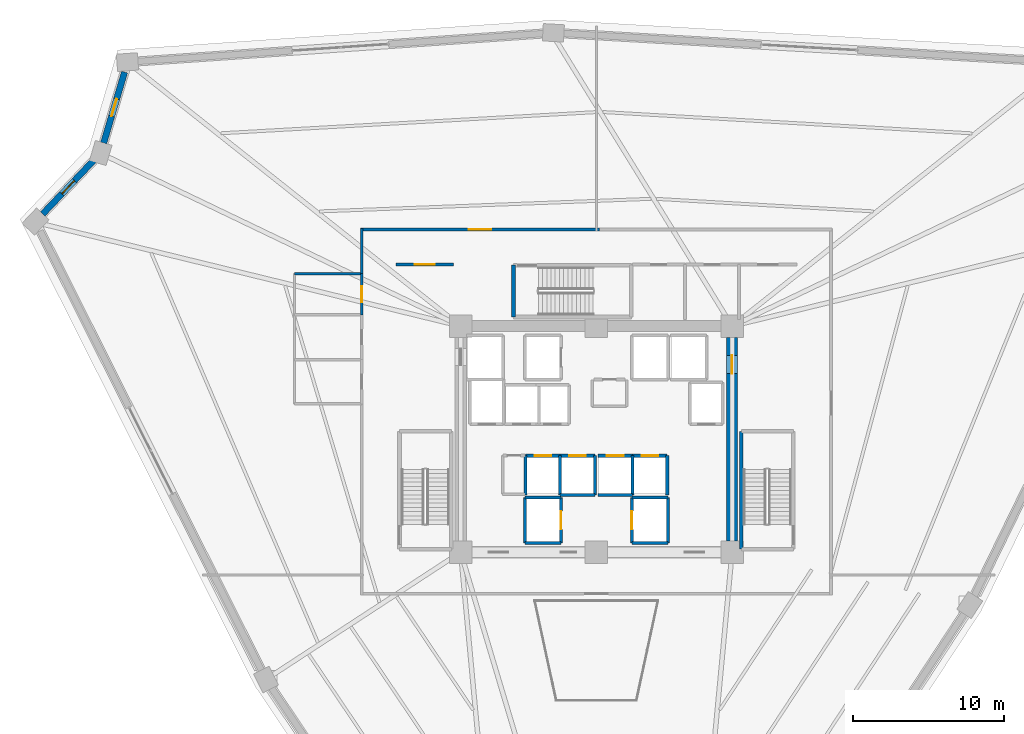
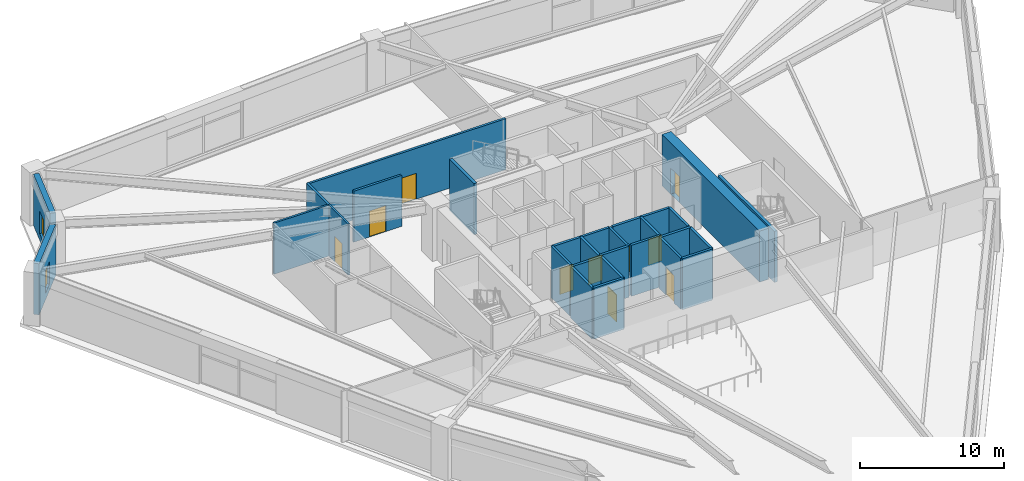
# One storey, part 26 of 30: 29 walls, 10 doors, 2 windows, 12 openings.
"""IFC4 building model written with IfcOpenShell, lengths in metres."""

from ifc_helpers import new_model, si_unit, direction, frame, frame_2d, origin, place, context, subcontext, project, spatial, rectangle, extrude, source, transform, mapped, material, layer, layer_set, type_object, element, fill, save


model = new_model("IFC4")

# Units and contexts
model_context = context("Model", 3, precision=1e-05, world=origin(), true_north=direction((0.0, 1.0)))
body_context = subcontext(model_context, "Body", "Model", "MODEL_VIEW")
ifc_project = project(units=[si_unit("LENGTHUNIT", "METRE"), si_unit("AREAUNIT", "SQUARE_METRE"), si_unit("VOLUMEUNIT", "CUBIC_METRE"), si_unit("PLANEANGLEUNIT", "RADIAN"), si_unit("MASSUNIT", "GRAM", prefix="KILO")], contexts=[model_context])

# Site, building, storey
site_placement = place(None, origin())
site = spatial("IfcSite", under=ifc_project, at=site_placement, CompositionType="ELEMENT")
building_placement = place(site_placement, origin())
building = spatial("IfcBuilding", under=site, at=building_placement, Name="Liaohun Quay Tower", CompositionType="ELEMENT")
storey_placement = place(building_placement, frame((0.0, 0.0, 97.5)))
storey = spatial("IfcBuildingStorey", under=building, at=storey_placement, Name="L25", CompositionType="ELEMENT", Elevation=97.5)

# Wall, opening, door
ifc_material_1 = material(Name="Concrete C60", Category="concrete")
ifc_layer_1 = layer(ifc_material_1, 0.75, Name="Concrete C60", Category="concrete")
ifc_layer_set_1 = layer_set([ifc_layer_1], Name="Concrete C60")
wall_type_1 = type_object("IfcWallType", Name="WAL-COR-Z2", PredefinedType="SHEAR", material=ifc_layer_set_1)
wall_1_placement = place(storey_placement, frame((69.0, 60.75, 0.0), z_axis=(0.0, 0.0, 1.0), x_axis=(0.0, -1.0, 0.0)))
wall_1 = element("IfcWall", 1, at=wall_1_placement, inside=storey, type_object=wall_type_1, Name="L25 Central Core Shear Wall E", PredefinedType="SHEAR", context=body_context, shape_type="SweptSolid", body=[
    extrude(rectangle(XDim=13.5, YDim=0.75, at=frame_2d((6.75, 0.0))), origin(), (0.0, 0.0, 1.0), 4.320068359375),
])
shared_shape_1 = source(origin(), body_context, "Body", "SweptSolid", [
    extrude(rectangle(XDim=1.199951171875, YDim=2.199951171875, at=frame_2d((0.60009765625, 1.10009765625))), frame((0.0, 0.385009765625, 0.0), z_axis=(0.0, -1.0, 0.0), x_axis=(1.0, 0.0, 0.0)), (0.0, 0.0, 1.0), 0.77001953125),
])
opening_1_placement = place(wall_1_placement, frame((1.199951171875, 0.0, 0.0)))
opening_1 = element("IfcOpeningElement", 2, at=opening_1_placement, cuts=wall_1, Name="Opening SD1", PredefinedType="OPENING", context=body_context, shape_type="MappedRepresentation", body=[
    mapped(shared_shape_1, transform((0.0, 0.0, 0.0), x_axis=(1.0, 0.0, 0.0), y_axis=(0.0, 1.0, 0.0), z_axis=(0.0, 0.0, 1.0), scale=1.0)),
])
ifc_material_2 = material(Name="Galvanised steel fire door", Category="steel")
door_type_1 = type_object("IfcDoorType", Name="DOR-STR-1200", OperationType="NOTDEFINED", PredefinedType="DOOR", material=ifc_material_2)
shared_shape_2 = source(origin(), body_context, "Body", "SweptSolid", [
    extrude(rectangle(XDim=1.199951171875, YDim=2.199951171875, at=frame_2d((0.60009765625, 1.10009765625))), frame((0.0, 0.02490234375, 0.0), z_axis=(0.0, -1.0, 0.0), x_axis=(1.0, 0.0, 0.0)), (0.0, 0.0, 1.0), 0.050048828125),
])
door_1_placement = place(opening_1_placement, origin())
door_1 = element("IfcDoor", 3, at=door_1_placement, inside=storey, type_object=door_type_1, Name="L25 North-East Core Lobby Smokeproof Door", OperationType="SINGLE_SWING_LEFT", OverallHeight=2.199951171875, OverallWidth=1.199951171875, PredefinedType="DOOR", context=body_context, shape_type="MappedRepresentation", body=[
    mapped(shared_shape_2, transform((0.0, 0.0, 0.0), x_axis=(1.0, 0.0, 0.0), y_axis=(0.0, 1.0, 0.0), z_axis=(0.0, 0.0, 1.0), scale=1.0)),
])
fill(opening_1, door_1)

# Wall, opening, window
ifc_material_3 = material(Name="Precast concrete C50 insulated sandwich", Category="concrete")
ifc_layer_2 = layer(ifc_material_3, 0.419921875, Name="Precast concrete C50 insulated sandwich", Category="concrete")
ifc_layer_set_2 = layer_set([ifc_layer_2], Name="Precast concrete C50 insulated sandwich")
wall_type_2 = type_object("IfcWallType", Name="WAL-EXT-Z12", PredefinedType="SOLIDWALL", material=ifc_layer_set_2)
wall_2_placement = place(storey_placement, frame((28.7099609375, 78.343994140625, 0.0), z_axis=(0.0, 0.0, 1.0), x_axis=(-0.282872543237, -0.959157507546, 0.0)))
wall_2 = element("IfcWall", 4, at=wall_2_placement, inside=storey, type_object=wall_type_2, Name="L25 Corner Notch Precast Pier Wall 08", PredefinedType="SOLIDWALL", context=body_context, shape_type="SweptSolid", body=[
    extrude(rectangle(XDim=4.903076171875, YDim=0.419921875, at=frame_2d((2.45166015625, 0.0))), origin(), (0.0, 0.0, 1.0), 4.320068359375),
])
shared_shape_3 = source(origin(), body_context, "Body", "SweptSolid", [
    extrude(rectangle(XDim=1.199951171875, YDim=1.89990234375, at=frame_2d((0.60009765625, 0.949951171875))), frame((0.0, 0.219970703125, 0.0), z_axis=(0.0, -1.0, 0.0), x_axis=(1.0, 0.0, 0.0)), (0.0, 0.0, 1.0), 0.43994140625),
])
opening_2_placement = place(wall_2_placement, frame((1.85205078125, 0.0, 0.550048828125)))
opening_2 = element("IfcOpeningElement", 5, at=opening_2_placement, cuts=wall_2, Name="Opening W05", PredefinedType="OPENING", context=body_context, shape_type="MappedRepresentation", body=[
    mapped(shared_shape_3, transform((0.0, 0.0, 0.0), x_axis=(1.0, 0.0, 0.0), y_axis=(0.0, 1.0, 0.0), z_axis=(0.0, 0.0, 1.0), scale=1.0)),
])
ifc_material_4 = material(Name="Triple Low-E corner notch glazing", Category="glass")
window_type = type_object("IfcWindowType", Name="WIN-NOTCH", PartitioningType="SINGLE_PANEL", PredefinedType="WINDOW", material=ifc_material_4)
shared_shape_4 = source(origin(), body_context, "Body", "SweptSolid", [
    extrude(rectangle(XDim=1.199951171875, YDim=1.89990234375, at=frame_2d((0.60009765625, 0.949951171875))), frame((0.0, 0.030029296875, 0.0), z_axis=(0.0, -1.0, 0.0), x_axis=(1.0, 0.0, 0.0)), (0.0, 0.0, 1.0), 0.06005859375),
])
window_1_placement = place(opening_2_placement, origin())
window_1 = element("IfcWindow", 6, at=window_1_placement, inside=storey, type_object=window_type, Name="L25 Corner Notch Window W05-08", OverallHeight=1.89990234375, OverallWidth=1.199951171875, PartitioningType="SINGLE_PANEL", PredefinedType="WINDOW", context=body_context, shape_type="MappedRepresentation", body=[
    mapped(shared_shape_4, transform((0.0, 0.0, 0.0), x_axis=(1.0, 0.0, 0.0), y_axis=(0.0, 1.0, 0.0), z_axis=(0.0, 0.0, 1.0), scale=1.0)),
])
fill(opening_2, window_1)

wall_3_placement = place(storey_placement, frame((26.652099609375, 72.47900390625, 0.0), z_axis=(0.0, 0.0, 1.0), x_axis=(-0.689206741768, -0.724564743209, 0.0)))
wall_3 = element("IfcWall", 7, at=wall_3_placement, inside=storey, type_object=wall_type_2, Name="L25 Corner Notch Precast Pier Wall 09", PredefinedType="SOLIDWALL", context=body_context, shape_type="SweptSolid", body=[
    extrude(rectangle(XDim=4.8955078125, YDim=0.419921875, at=frame_2d((2.44775390625, 0.0))), origin(), (0.0, 0.0, 1.0), 4.320068359375),
])
opening_3_placement = place(wall_3_placement, frame((1.847900390625, 0.0, 0.550048828125)))
opening_3 = element("IfcOpeningElement", 8, at=opening_3_placement, cuts=wall_3, Name="Opening W05", PredefinedType="OPENING", context=body_context, shape_type="MappedRepresentation", body=[
    mapped(shared_shape_3, transform((0.0, 0.0, 0.0), x_axis=(1.0, 0.0, 0.0), y_axis=(0.0, 1.0, 0.0), z_axis=(0.0, 0.0, 1.0), scale=1.0)),
])
window_2_placement = place(opening_3_placement, origin())
window_2 = element("IfcWindow", 9, at=window_2_placement, inside=storey, type_object=window_type, Name="L25 Corner Notch Window W05-09", OverallHeight=1.89990234375, OverallWidth=1.199951171875, PartitioningType="SINGLE_PANEL", PredefinedType="WINDOW", context=body_context, shape_type="MappedRepresentation", body=[
    mapped(shared_shape_4, transform((0.0, 0.0, 0.0), x_axis=(1.0, 0.0, 0.0), y_axis=(0.0, 1.0, 0.0), z_axis=(0.0, 0.0, 1.0), scale=1.0)),
])
fill(opening_3, window_2)

# Wall, opening, door
ifc_material_5 = material(Name="Autoclaved aerated concrete blockwork", Category="masonry")
ifc_layer_3 = layer(ifc_material_5, 0.179931640625, Name="Autoclaved aerated concrete blockwork", Category="masonry")
ifc_layer_set_3 = layer_set([ifc_layer_3], Name="Autoclaved aerated concrete blockwork")
wall_type_3 = type_object("IfcWallType", Name="WAL-PRT-COR", PredefinedType="PARTITIONING", material=ifc_layer_set_3)
wall_4_placement = place(storey_placement, frame((46.699951171875, 65.580078125, 0.0), z_axis=(0.0, 0.0, 1.0), x_axis=(1.0, 0.0, 0.0)))
wall_4 = element("IfcWall", 10, at=wall_4_placement, inside=storey, type_object=wall_type_3, Name="L25 Interior Partition Wall 008", PredefinedType="PARTITIONING", context=body_context, shape_type="SweptSolid", body=[
    extrude(rectangle(XDim=3.840087890625, YDim=0.179931640625, at=frame_2d((1.919921875, 0.0))), origin(), (0.0, 0.0, 1.0), 4.320068359375),
])
shared_shape_5 = source(origin(), body_context, "Body", "SweptSolid", [
    extrude(rectangle(XDim=1.300048828125, YDim=2.199951171875, at=frame_2d((0.64990234375, 1.10009765625))), frame((0.0, 0.099853515625, 0.0), z_axis=(0.0, -1.0, 0.0), x_axis=(1.0, 0.0, 0.0)), (0.0, 0.0, 1.0), 0.199951171875),
])
opening_4_placement = place(wall_4_placement, frame((1.27001953125, 0.0, 0.0)))
opening_4 = element("IfcOpeningElement", 11, at=opening_4_placement, cuts=wall_4, Name="Opening FD1", PredefinedType="OPENING", context=body_context, shape_type="MappedRepresentation", body=[
    mapped(shared_shape_5, transform((0.0, 0.0, 0.0), x_axis=(1.0, 0.0, 0.0), y_axis=(0.0, 1.0, 0.0), z_axis=(0.0, 0.0, 1.0), scale=1.0)),
])
ifc_material_6 = material(Name="Galvanised steel smokeproof fire door", Category="steel")
door_type_2 = type_object("IfcDoorType", Name="DOR-FFL-1300", OperationType="NOTDEFINED", PredefinedType="DOOR", material=ifc_material_6)
shared_shape_6 = source(origin(), body_context, "Body", "SweptSolid", [
    extrude(rectangle(XDim=1.300048828125, YDim=2.199951171875, at=frame_2d((0.64990234375, 1.10009765625))), frame((0.0, 0.02490234375, 0.0), z_axis=(0.0, -1.0, 0.0), x_axis=(1.0, 0.0, 0.0)), (0.0, 0.0, 1.0), 0.050048828125),
])
door_2_placement = place(opening_4_placement, origin())
door_2 = element("IfcDoor", 12, at=door_2_placement, inside=storey, type_object=door_type_2, Name="L25 West Core Vestibule Door", OperationType="SINGLE_SWING_RIGHT", OverallHeight=2.199951171875, OverallWidth=1.300048828125, PredefinedType="DOOR", context=body_context, shape_type="MappedRepresentation", body=[
    mapped(shared_shape_6, transform((0.0, 0.0, 0.0), x_axis=(1.0, 0.0, 0.0), y_axis=(0.0, 1.0, 0.0), z_axis=(0.0, 0.0, 1.0), scale=1.0)),
])
fill(opening_4, door_2)

wall_5_placement = place(storey_placement, frame((44.3701171875, 67.909912109375, 0.0), z_axis=(0.0, 0.0, 1.0), x_axis=(1.0, 0.0, 0.0)))
wall_5 = element("IfcWall", 13, at=wall_5_placement, inside=storey, type_object=wall_type_3, Name="L25 Interior Partition Wall 011", PredefinedType="PARTITIONING", context=body_context, shape_type="SweptSolid", body=[
    extrude(rectangle(XDim=15.844970703125, YDim=0.179931640625, at=frame_2d((7.92236328125, 0.0))), origin(), (0.0, 0.0, 1.0), 4.320068359375),
])
shared_shape_7 = source(origin(), body_context, "Body", "SweptSolid", [
    extrude(rectangle(XDim=1.5, YDim=2.199951171875, at=frame_2d((0.75, 1.10009765625))), frame((0.0, 0.099853515625, 0.0), z_axis=(0.0, -1.0, 0.0), x_axis=(1.0, 0.0, 0.0)), (0.0, 0.0, 1.0), 0.199951171875),
])
opening_5_placement = place(wall_5_placement, frame((7.173095703125, 0.0, 0.0)))
opening_5 = element("IfcOpeningElement", 14, at=opening_5_placement, cuts=wall_5, Name="Opening OD2", PredefinedType="OPENING", context=body_context, shape_type="MappedRepresentation", body=[
    mapped(shared_shape_7, transform((0.0, 0.0, 0.0), x_axis=(1.0, 0.0, 0.0), y_axis=(0.0, 1.0, 0.0), z_axis=(0.0, 0.0, 1.0), scale=1.0)),
])
ifc_material_7 = material(Name="Acoustic oak veneer double door")
door_type_3 = type_object("IfcDoorType", Name="DOR-OFF-1500", OperationType="DOUBLE_DOOR_SINGLE_SWING", PredefinedType="DOOR", material=ifc_material_7)
shared_shape_8 = source(origin(), body_context, "Body", "SweptSolid", [
    extrude(rectangle(XDim=1.5, YDim=2.199951171875, at=frame_2d((0.75, 1.10009765625))), frame((0.0, 0.02490234375, 0.0), z_axis=(0.0, -1.0, 0.0), x_axis=(1.0, 0.0, 0.0)), (0.0, 0.0, 1.0), 0.050048828125),
])
door_3_placement = place(opening_5_placement, origin())
door_3 = element("IfcDoor", 15, at=door_3_placement, inside=storey, type_object=door_type_3, Name="L25 Sky Lobby Reception Lounge 02 Door", OperationType="DOUBLE_DOOR_SINGLE_SWING", OverallHeight=2.199951171875, OverallWidth=1.5, PredefinedType="DOOR", context=body_context, shape_type="MappedRepresentation", body=[
    mapped(shared_shape_8, transform((0.0, 0.0, 0.0), x_axis=(1.0, 0.0, 0.0), y_axis=(0.0, 1.0, 0.0), z_axis=(0.0, 0.0, 1.0), scale=1.0)),
])
fill(opening_5, door_3)

# Wall
wall_6_placement = place(storey_placement, frame((44.43994140625, 64.97998046875, 0.0), z_axis=(0.0, 0.0, 1.0), x_axis=(0.0, 1.0, 0.0)))
element("IfcWall", 16, at=wall_6_placement, inside=storey, type_object=wall_type_3, Name="L25 Interior Partition Wall 027", PredefinedType="PARTITIONING", context=body_context, shape_type="SweptSolid", body=[
    extrude(rectangle(XDim=3.0, YDim=0.179931640625, at=frame_2d((1.5, 0.0))), origin(), (0.0, 0.0, 1.0), 4.320068359375),
])

# Wall, opening, door
ifc_material_8 = material(Name="Moisture-resistant masonry blockwork", Category="masonry")
ifc_layer_4 = layer(ifc_material_8, 0.159912109375, Name="Moisture-resistant masonry blockwork", Category="masonry")
ifc_layer_set_4 = layer_set([ifc_layer_4], Name="Moisture-resistant masonry blockwork")
wall_type_4 = type_object("IfcWallType", Name="WAL-PRT-WET", PredefinedType="PARTITIONING", material=ifc_layer_set_4)
wall_7_placement = place(storey_placement, frame((44.43994140625, 62.239990234375, 0.0), z_axis=(0.0, 0.0, 1.0), x_axis=(0.0, 1.0, 0.0)))
wall_7 = element("IfcWall", 17, at=wall_7_placement, inside=storey, type_object=wall_type_4, Name="L25 Interior Partition Wall 005", PredefinedType="PARTITIONING", context=body_context, shape_type="SweptSolid", body=[
    extrude(rectangle(XDim=2.739990234375, YDim=0.159912109375, at=frame_2d((1.3701171875, 0.0))), origin(), (0.0, 0.0, 1.0), 4.320068359375),
])
shared_shape_9 = source(origin(), body_context, "Body", "SweptSolid", [
    extrude(rectangle(XDim=1.050048828125, YDim=2.14990234375, at=frame_2d((0.52490234375, 1.074951171875))), frame((0.0, 0.08984375, 0.0), z_axis=(0.0, -1.0, 0.0), x_axis=(1.0, 0.0, 0.0)), (0.0, 0.0, 1.0), 0.179931640625),
])
opening_6_placement = place(wall_7_placement, frame((0.844970703125, 0.0, 0.0)))
opening_6 = element("IfcOpeningElement", 18, at=opening_6_placement, cuts=wall_7, Name="Opening WD2", PredefinedType="OPENING", context=body_context, shape_type="MappedRepresentation", body=[
    mapped(shared_shape_9, transform((0.0, 0.0, 0.0), x_axis=(1.0, 0.0, 0.0), y_axis=(0.0, 1.0, 0.0), z_axis=(0.0, 0.0, 1.0), scale=1.0)),
])
ifc_material_9 = material(Name="Accessible outward-swinging laminate door")
door_type_4 = type_object("IfcDoorType", Name="DOR-AWC-1050", OperationType="NOTDEFINED", PredefinedType="DOOR", material=ifc_material_9)
shared_shape_10 = source(origin(), body_context, "Body", "SweptSolid", [
    extrude(rectangle(XDim=1.050048828125, YDim=2.14990234375, at=frame_2d((0.52490234375, 1.074951171875))), frame((0.0, 0.02490234375, 0.0), z_axis=(0.0, -1.0, 0.0), x_axis=(1.0, 0.0, 0.0)), (0.0, 0.0, 1.0), 0.050048828125),
])
door_4_placement = place(opening_6_placement, origin())
door_4 = element("IfcDoor", 19, at=door_4_placement, inside=storey, type_object=door_type_4, Name="L25 Accessible WC Door", OperationType="SINGLE_SWING_LEFT", OverallHeight=2.14990234375, OverallWidth=1.050048828125, PredefinedType="DOOR", context=body_context, shape_type="MappedRepresentation", body=[
    mapped(shared_shape_10, transform((0.0, 0.0, 0.0), x_axis=(1.0, 0.0, 0.0), y_axis=(0.0, 1.0, 0.0), z_axis=(0.0, 0.0, 1.0), scale=1.0)),
])
fill(opening_6, door_4)

# Walls
wall_8_placement = place(storey_placement, frame((39.97998046875, 64.97998046875, 0.0), z_axis=(0.0, 0.0, 1.0), x_axis=(1.0, 0.0, 0.0)))
element("IfcWall", 20, at=wall_8_placement, inside=storey, type_object=wall_type_4, Name="L25 Interior Partition Wall 022", PredefinedType="PARTITIONING", context=body_context, shape_type="SweptSolid", body=[
    extrude(rectangle(XDim=4.4599609375, YDim=0.159912109375, at=frame_2d((2.22998046875, 0.0))), origin(), (0.0, 0.0, 1.0), 4.320068359375),
])
ifc_material_10 = material(Name="Concrete C50", Category="concrete")
ifc_layer_5 = layer(ifc_material_10, 0.239990234375, Name="Concrete C50", Category="concrete")
ifc_layer_set_5 = layer_set([ifc_layer_5], Name="Concrete C50")
wall_type_5 = type_object("IfcWallType", Name="WAL-SHF-200", PredefinedType="SOLIDWALL", material=ifc_layer_set_5)
wall_9_placement = place(storey_placement, frame((69.6201171875, 54.52001953125, 0.0), z_axis=(0.0, 0.0, 1.0), x_axis=(0.0, -1.0, 0.0)))
element("IfcWall", 21, at=wall_9_placement, inside=storey, type_object=wall_type_5, Name="L25 Stairwell ST-2 Structural Core Wall W", PredefinedType="SOLIDWALL", context=body_context, shape_type="SweptSolid", body=[
    extrude(rectangle(XDim=7.820068359375, YDim=0.239990234375, at=frame_2d((3.91015625, 0.0))), origin(), (0.0, 0.0, 1.0), 4.320068359375),
])
wall_10_placement = place(storey_placement, frame((54.5, 65.5400390625, 0.0), z_axis=(0.0, 0.0, 1.0), x_axis=(0.0, -1.0, 0.0)))
element("IfcWall", 22, at=wall_10_placement, inside=storey, type_object=wall_type_5, Name="L25 Stairwell ST-3 Structural Core Wall W", PredefinedType="SOLIDWALL", context=body_context, shape_type="SweptSolid", body=[
    extrude(rectangle(XDim=3.43994140625, YDim=0.239990234375, at=frame_2d((1.719970703125, 0.0))), origin(), (0.0, 0.0, 1.0), 4.320068359375),
])
wall_11_placement = place(storey_placement, frame((55.25, 47.1201171875, 0.0), z_axis=(0.0, 0.0, 1.0), x_axis=(1.0, 0.0, 0.0)))
element("IfcWall", 23, at=wall_11_placement, inside=storey, type_object=wall_type_5, Name="L25 Lift FF-01 Hoistway Wall S", PredefinedType="SOLIDWALL", context=body_context, shape_type="SweptSolid", body=[
    extrude(rectangle(XDim=2.39990234375, YDim=0.199951171875, at=frame_2d((1.199951171875, 0.0))), origin(), (0.0, 0.0, 1.0), 4.320068359375),
])

# Wall, opening, door
wall_12_placement = place(storey_placement, frame((57.64990234375, 47.1201171875, 0.0), z_axis=(0.0, 0.0, 1.0), x_axis=(0.0, 1.0, 0.0)))
wall_12 = element("IfcWall", 24, at=wall_12_placement, inside=storey, type_object=wall_type_5, Name="L25 Lift FF-01 Hoistway Wall E", PredefinedType="SOLIDWALL", context=body_context, shape_type="SweptSolid", body=[
    extrude(rectangle(XDim=3.0, YDim=0.199951171875, at=frame_2d((1.5, 0.0))), origin(), (0.0, 0.0, 1.0), 4.320068359375),
])
shared_shape_11 = source(origin(), body_context, "Body", "SweptSolid", [
    extrude(rectangle(XDim=1.199951171875, YDim=2.300048828125, at=frame_2d((0.60009765625, 1.14990234375))), frame((0.0, 0.10986328125, 0.0), z_axis=(0.0, -1.0, 0.0), x_axis=(1.0, 0.0, 0.0)), (0.0, 0.0, 1.0), 0.219970703125),
])
opening_7_placement = place(wall_12_placement, frame((0.89990234375, 0.0, 0.0)))
opening_7 = element("IfcOpeningElement", 25, at=opening_7_placement, cuts=wall_12, Name="Opening LD2", PredefinedType="OPENING", context=body_context, shape_type="MappedRepresentation", body=[
    mapped(shared_shape_11, transform((0.0, 0.0, 0.0), x_axis=(1.0, 0.0, 0.0), y_axis=(0.0, 1.0, 0.0), z_axis=(0.0, 0.0, 1.0), scale=1.0)),
])
ifc_material_11 = material(Name="Brushed stainless steel stretcher landing door", Category="steel")
door_type_5 = type_object("IfcDoorType", Name="DOR-LFT-1200", OperationType="SLIDING_TO_LEFT", PredefinedType="DOOR", material=ifc_material_11)
shared_shape_12 = source(origin(), body_context, "Body", "SweptSolid", [
    extrude(rectangle(XDim=1.199951171875, YDim=2.300048828125, at=frame_2d((0.60009765625, 1.14990234375))), frame((0.0, 0.02490234375, 0.0), z_axis=(0.0, -1.0, 0.0), x_axis=(1.0, 0.0, 0.0)), (0.0, 0.0, 1.0), 0.050048828125),
])
door_5_placement = place(opening_7_placement, origin())
door_5 = element("IfcDoor", 26, at=door_5_placement, inside=storey, type_object=door_type_5, Name="L25 Lift FF-01 Sliding Landing Door", OperationType="SLIDING_TO_LEFT", OverallHeight=2.300048828125, OverallWidth=1.199951171875, PredefinedType="DOOR", context=body_context, shape_type="MappedRepresentation", body=[
    mapped(shared_shape_12, transform((0.0, 0.0, 0.0), x_axis=(1.0, 0.0, 0.0), y_axis=(0.0, 1.0, 0.0), z_axis=(0.0, 0.0, 1.0), scale=1.0)),
])
fill(opening_7, door_5)

# Walls
wall_13_placement = place(storey_placement, frame((57.64990234375, 50.1201171875, 0.0), z_axis=(0.0, 0.0, 1.0), x_axis=(-1.0, 0.0, 0.0)))
element("IfcWall", 27, at=wall_13_placement, inside=storey, type_object=wall_type_5, Name="L25 Lift FF-01 Hoistway Wall N", PredefinedType="SOLIDWALL", context=body_context, shape_type="SweptSolid", body=[
    extrude(rectangle(XDim=2.39990234375, YDim=0.199951171875, at=frame_2d((1.199951171875, 0.0))), origin(), (0.0, 0.0, 1.0), 4.320068359375),
])
wall_14_placement = place(storey_placement, frame((55.25, 50.1201171875, 0.0), z_axis=(0.0, 0.0, 1.0), x_axis=(0.0, -1.0, 0.0)))
element("IfcWall", 28, at=wall_14_placement, inside=storey, type_object=wall_type_5, Name="L25 Lift FF-01 Hoistway Wall W", PredefinedType="SOLIDWALL", context=body_context, shape_type="SweptSolid", body=[
    extrude(rectangle(XDim=3.0, YDim=0.199951171875, at=frame_2d((1.5, 0.0))), origin(), (0.0, 0.0, 1.0), 4.320068359375),
])
wall_15_placement = place(storey_placement, frame((62.35009765625, 47.1201171875, 0.0), z_axis=(0.0, 0.0, 1.0), x_axis=(1.0, 0.0, 0.0)))
element("IfcWall", 29, at=wall_15_placement, inside=storey, type_object=wall_type_5, Name="L25 Lift FF-02 Hoistway Wall S", PredefinedType="SOLIDWALL", context=body_context, shape_type="SweptSolid", body=[
    extrude(rectangle(XDim=2.39990234375, YDim=0.199951171875, at=frame_2d((1.199951171875, 0.0))), origin(), (0.0, 0.0, 1.0), 4.320068359375),
])
wall_16_placement = place(storey_placement, frame((64.75, 47.1201171875, 0.0), z_axis=(0.0, 0.0, 1.0), x_axis=(0.0, 1.0, 0.0)))
element("IfcWall", 30, at=wall_16_placement, inside=storey, type_object=wall_type_5, Name="L25 Lift FF-02 Hoistway Wall E", PredefinedType="SOLIDWALL", context=body_context, shape_type="SweptSolid", body=[
    extrude(rectangle(XDim=3.0, YDim=0.199951171875, at=frame_2d((1.5, 0.0))), origin(), (0.0, 0.0, 1.0), 4.320068359375),
])
wall_17_placement = place(storey_placement, frame((64.75, 50.1201171875, 0.0), z_axis=(0.0, 0.0, 1.0), x_axis=(-1.0, 0.0, 0.0)))
element("IfcWall", 31, at=wall_17_placement, inside=storey, type_object=wall_type_5, Name="L25 Lift FF-02 Hoistway Wall N", PredefinedType="SOLIDWALL", context=body_context, shape_type="SweptSolid", body=[
    extrude(rectangle(XDim=2.39990234375, YDim=0.199951171875, at=frame_2d((1.199951171875, 0.0))), origin(), (0.0, 0.0, 1.0), 4.320068359375),
])

# Wall, opening, door
wall_18_placement = place(storey_placement, frame((62.35009765625, 50.1201171875, 0.0), z_axis=(0.0, 0.0, 1.0), x_axis=(0.0, -1.0, 0.0)))
wall_18 = element("IfcWall", 32, at=wall_18_placement, inside=storey, type_object=wall_type_5, Name="L25 Lift FF-02 Hoistway Wall W", PredefinedType="SOLIDWALL", context=body_context, shape_type="SweptSolid", body=[
    extrude(rectangle(XDim=3.0, YDim=0.199951171875, at=frame_2d((1.5, 0.0))), origin(), (0.0, 0.0, 1.0), 4.320068359375),
])
opening_8_placement = place(wall_18_placement, frame((0.89990234375, 0.0, 0.0)))
opening_8 = element("IfcOpeningElement", 33, at=opening_8_placement, cuts=wall_18, Name="Opening LD2", PredefinedType="OPENING", context=body_context, shape_type="MappedRepresentation", body=[
    mapped(shared_shape_11, transform((0.0, 0.0, 0.0), x_axis=(1.0, 0.0, 0.0), y_axis=(0.0, 1.0, 0.0), z_axis=(0.0, 0.0, 1.0), scale=1.0)),
])
door_6_placement = place(opening_8_placement, origin())
door_6 = element("IfcDoor", 34, at=door_6_placement, inside=storey, type_object=door_type_5, Name="L25 Lift FF-02 Sliding Landing Door", OperationType="SLIDING_TO_LEFT", OverallHeight=2.300048828125, OverallWidth=1.199951171875, PredefinedType="DOOR", context=body_context, shape_type="MappedRepresentation", body=[
    mapped(shared_shape_12, transform((0.0, 0.0, 0.0), x_axis=(1.0, 0.0, 0.0), y_axis=(0.0, 1.0, 0.0), z_axis=(0.0, 0.0, 1.0), scale=1.0)),
])
fill(opening_8, door_6)

# Wall
wall_19_placement = place(storey_placement, frame((57.60009765625, 50.300048828125, 0.0), z_axis=(0.0, 0.0, 1.0), x_axis=(0.0, 1.0, 0.0)))
element("IfcWall", 35, at=wall_19_placement, inside=storey, type_object=wall_type_5, Name="L25 Lift PL-1A Hoistway Wall E", PredefinedType="SOLIDWALL", context=body_context, shape_type="SweptSolid", body=[
    extrude(rectangle(XDim=2.599853515625, YDim=0.199951171875, at=frame_2d((1.2998046875, 0.0))), origin(), (0.0, 0.0, 1.0), 4.320068359375),
])

# Wall, opening, door
wall_20_placement = place(storey_placement, frame((57.60009765625, 52.89990234375, 0.0), z_axis=(0.0, 0.0, 1.0), x_axis=(-1.0, 0.0, 0.0)))
wall_20 = element("IfcWall", 36, at=wall_20_placement, inside=storey, type_object=wall_type_5, Name="L25 Lift PL-1A Hoistway Wall N", PredefinedType="SOLIDWALL", context=body_context, shape_type="SweptSolid", body=[
    extrude(rectangle(XDim=2.300048828125, YDim=0.199951171875, at=frame_2d((1.14990234375, 0.0))), origin(), (0.0, 0.0, 1.0), 4.320068359375),
])
shared_shape_13 = source(origin(), body_context, "Body", "SweptSolid", [
    extrude(rectangle(XDim=1.10009765625, YDim=2.199951171875, at=frame_2d((0.550048828125, 1.10009765625))), frame((0.0, 0.10986328125, 0.0), z_axis=(0.0, -1.0, 0.0), x_axis=(1.0, 0.0, 0.0)), (0.0, 0.0, 1.0), 0.219970703125),
])
opening_9_placement = place(wall_20_placement, frame((0.60009765625, 0.0, 0.0)))
opening_9 = element("IfcOpeningElement", 37, at=opening_9_placement, cuts=wall_20, Name="Opening LD1", PredefinedType="OPENING", context=body_context, shape_type="MappedRepresentation", body=[
    mapped(shared_shape_13, transform((0.0, 0.0, 0.0), x_axis=(1.0, 0.0, 0.0), y_axis=(0.0, 1.0, 0.0), z_axis=(0.0, 0.0, 1.0), scale=1.0)),
])
ifc_material_12 = material(Name="Brushed stainless steel landing door", Category="steel")
door_type_6 = type_object("IfcDoorType", Name="DOR-LFT-1100", OperationType="SLIDING_TO_LEFT", PredefinedType="DOOR", material=ifc_material_12)
shared_shape_14 = source(origin(), body_context, "Body", "SweptSolid", [
    extrude(rectangle(XDim=1.10009765625, YDim=2.199951171875, at=frame_2d((0.550048828125, 1.10009765625))), frame((0.0, 0.02490234375, 0.0), z_axis=(0.0, -1.0, 0.0), x_axis=(1.0, 0.0, 0.0)), (0.0, 0.0, 1.0), 0.050048828125),
])
door_7_placement = place(opening_9_placement, origin())
door_7 = element("IfcDoor", 38, at=door_7_placement, inside=storey, type_object=door_type_6, Name="L25 Lift PL-1A Sliding Landing Door", OperationType="SLIDING_TO_LEFT", OverallHeight=2.199951171875, OverallWidth=1.10009765625, PredefinedType="DOOR", context=body_context, shape_type="MappedRepresentation", body=[
    mapped(shared_shape_14, transform((0.0, 0.0, 0.0), x_axis=(1.0, 0.0, 0.0), y_axis=(0.0, 1.0, 0.0), z_axis=(0.0, 0.0, 1.0), scale=1.0)),
])
fill(opening_9, door_7)

# Walls
wall_21_placement = place(storey_placement, frame((55.300048828125, 52.89990234375, 0.0), z_axis=(0.0, 0.0, 1.0), x_axis=(0.0, -1.0, 0.0)))
element("IfcWall", 39, at=wall_21_placement, inside=storey, type_object=wall_type_5, Name="L25 Lift PL-1A Hoistway Wall W", PredefinedType="SOLIDWALL", context=body_context, shape_type="SweptSolid", body=[
    extrude(rectangle(XDim=2.599853515625, YDim=0.199951171875, at=frame_2d((1.2998046875, 0.0))), origin(), (0.0, 0.0, 1.0), 4.320068359375),
])
wall_22_placement = place(storey_placement, frame((57.60009765625, 50.300048828125, 0.0), z_axis=(0.0, 0.0, 1.0), x_axis=(1.0, 0.0, 0.0)))
element("IfcWall", 40, at=wall_22_placement, inside=storey, type_object=wall_type_5, Name="L25 Lift PL-1B Hoistway Wall S", PredefinedType="SOLIDWALL", context=body_context, shape_type="SweptSolid", body=[
    extrude(rectangle(XDim=2.2998046875, YDim=0.199951171875, at=frame_2d((1.14990234375, 0.0))), origin(), (0.0, 0.0, 1.0), 4.320068359375),
])
wall_23_placement = place(storey_placement, frame((59.89990234375, 50.300048828125, 0.0), z_axis=(0.0, 0.0, 1.0), x_axis=(0.0, 1.0, 0.0)))
element("IfcWall", 41, at=wall_23_placement, inside=storey, type_object=wall_type_5, Name="L25 Lift PL-1B Hoistway Wall E", PredefinedType="SOLIDWALL", context=body_context, shape_type="SweptSolid", body=[
    extrude(rectangle(XDim=2.599853515625, YDim=0.199951171875, at=frame_2d((1.2998046875, 0.0))), origin(), (0.0, 0.0, 1.0), 4.320068359375),
])

# Wall, opening, door
wall_24_placement = place(storey_placement, frame((59.89990234375, 52.89990234375, 0.0), z_axis=(0.0, 0.0, 1.0), x_axis=(-1.0, 0.0, 0.0)))
wall_24 = element("IfcWall", 42, at=wall_24_placement, inside=storey, type_object=wall_type_5, Name="L25 Lift PL-1B Hoistway Wall N", PredefinedType="SOLIDWALL", context=body_context, shape_type="SweptSolid", body=[
    extrude(rectangle(XDim=2.2998046875, YDim=0.199951171875, at=frame_2d((1.14990234375, 0.0))), origin(), (0.0, 0.0, 1.0), 4.320068359375),
])
opening_10_placement = place(wall_24_placement, frame((0.60009765625, 0.0, 0.0)))
opening_10 = element("IfcOpeningElement", 43, at=opening_10_placement, cuts=wall_24, Name="Opening LD1", PredefinedType="OPENING", context=body_context, shape_type="MappedRepresentation", body=[
    mapped(shared_shape_13, transform((0.0, 0.0, 0.0), x_axis=(1.0, 0.0, 0.0), y_axis=(0.0, 1.0, 0.0), z_axis=(0.0, 0.0, 1.0), scale=1.0)),
])
door_8_placement = place(opening_10_placement, origin())
door_8 = element("IfcDoor", 44, at=door_8_placement, inside=storey, type_object=door_type_6, Name="L25 Lift PL-1B Sliding Landing Door", OperationType="SLIDING_TO_LEFT", OverallHeight=2.199951171875, OverallWidth=1.10009765625, PredefinedType="DOOR", context=body_context, shape_type="MappedRepresentation", body=[
    mapped(shared_shape_14, transform((0.0, 0.0, 0.0), x_axis=(1.0, 0.0, 0.0), y_axis=(0.0, 1.0, 0.0), z_axis=(0.0, 0.0, 1.0), scale=1.0)),
])
fill(opening_10, door_8)

# Walls
wall_25_placement = place(storey_placement, frame((60.10009765625, 50.300048828125, 0.0), z_axis=(0.0, 0.0, 1.0), x_axis=(1.0, 0.0, 0.0)))
element("IfcWall", 45, at=wall_25_placement, inside=storey, type_object=wall_type_5, Name="L25 Lift PL-1C Hoistway Wall S", PredefinedType="SOLIDWALL", context=body_context, shape_type="SweptSolid", body=[
    extrude(rectangle(XDim=2.2998046875, YDim=0.199951171875, at=frame_2d((1.14990234375, 0.0))), origin(), (0.0, 0.0, 1.0), 4.320068359375),
])
wall_26_placement = place(storey_placement, frame((62.39990234375, 50.300048828125, 0.0), z_axis=(0.0, 0.0, 1.0), x_axis=(0.0, 1.0, 0.0)))
element("IfcWall", 46, at=wall_26_placement, inside=storey, type_object=wall_type_5, Name="L25 Lift PL-1C Hoistway Wall E", PredefinedType="SOLIDWALL", context=body_context, shape_type="SweptSolid", body=[
    extrude(rectangle(XDim=2.599853515625, YDim=0.199951171875, at=frame_2d((1.2998046875, 0.0))), origin(), (0.0, 0.0, 1.0), 4.320068359375),
])

# Wall, opening, door
wall_27_placement = place(storey_placement, frame((62.39990234375, 52.89990234375, 0.0), z_axis=(0.0, 0.0, 1.0), x_axis=(-1.0, 0.0, 0.0)))
wall_27 = element("IfcWall", 47, at=wall_27_placement, inside=storey, type_object=wall_type_5, Name="L25 Lift PL-1C Hoistway Wall N", PredefinedType="SOLIDWALL", context=body_context, shape_type="SweptSolid", body=[
    extrude(rectangle(XDim=2.2998046875, YDim=0.199951171875, at=frame_2d((1.14990234375, 0.0))), origin(), (0.0, 0.0, 1.0), 4.320068359375),
])
opening_11_placement = place(wall_27_placement, frame((0.60009765625, 0.0, 0.0)))
opening_11 = element("IfcOpeningElement", 48, at=opening_11_placement, cuts=wall_27, Name="Opening LD1", PredefinedType="OPENING", context=body_context, shape_type="MappedRepresentation", body=[
    mapped(shared_shape_13, transform((0.0, 0.0, 0.0), x_axis=(1.0, 0.0, 0.0), y_axis=(0.0, 1.0, 0.0), z_axis=(0.0, 0.0, 1.0), scale=1.0)),
])
door_9_placement = place(opening_11_placement, origin())
door_9 = element("IfcDoor", 49, at=door_9_placement, inside=storey, type_object=door_type_6, Name="L25 Lift PL-1C Sliding Landing Door", OperationType="SLIDING_TO_LEFT", OverallHeight=2.199951171875, OverallWidth=1.10009765625, PredefinedType="DOOR", context=body_context, shape_type="MappedRepresentation", body=[
    mapped(shared_shape_14, transform((0.0, 0.0, 0.0), x_axis=(1.0, 0.0, 0.0), y_axis=(0.0, 1.0, 0.0), z_axis=(0.0, 0.0, 1.0), scale=1.0)),
])
fill(opening_11, door_9)

# Wall
wall_28_placement = place(storey_placement, frame((64.699951171875, 50.300048828125, 0.0), z_axis=(0.0, 0.0, 1.0), x_axis=(0.0, 1.0, 0.0)))
element("IfcWall", 50, at=wall_28_placement, inside=storey, type_object=wall_type_5, Name="L25 Lift PL-2A Hoistway Wall E", PredefinedType="SOLIDWALL", context=body_context, shape_type="SweptSolid", body=[
    extrude(rectangle(XDim=2.599853515625, YDim=0.199951171875, at=frame_2d((1.2998046875, 0.0))), origin(), (0.0, 0.0, 1.0), 4.320068359375),
])

# Wall, opening, door
wall_29_placement = place(storey_placement, frame((64.699951171875, 52.89990234375, 0.0), z_axis=(0.0, 0.0, 1.0), x_axis=(-1.0, 0.0, 0.0)))
wall_29 = element("IfcWall", 51, at=wall_29_placement, inside=storey, type_object=wall_type_5, Name="L25 Lift PL-2A Hoistway Wall N", PredefinedType="SOLIDWALL", context=body_context, shape_type="SweptSolid", body=[
    extrude(rectangle(XDim=2.300048828125, YDim=0.199951171875, at=frame_2d((1.14990234375, 0.0))), origin(), (0.0, 0.0, 1.0), 4.320068359375),
])
opening_12_placement = place(wall_29_placement, frame((0.60009765625, 0.0, 0.0)))
opening_12 = element("IfcOpeningElement", 52, at=opening_12_placement, cuts=wall_29, Name="Opening LD1", PredefinedType="OPENING", context=body_context, shape_type="MappedRepresentation", body=[
    mapped(shared_shape_13, transform((0.0, 0.0, 0.0), x_axis=(1.0, 0.0, 0.0), y_axis=(0.0, 1.0, 0.0), z_axis=(0.0, 0.0, 1.0), scale=1.0)),
])
door_10_placement = place(opening_12_placement, origin())
door_10 = element("IfcDoor", 53, at=door_10_placement, inside=storey, type_object=door_type_6, Name="L25 Lift PL-2A Sliding Landing Door", OperationType="SLIDING_TO_LEFT", OverallHeight=2.199951171875, OverallWidth=1.10009765625, PredefinedType="DOOR", context=body_context, shape_type="MappedRepresentation", body=[
    mapped(shared_shape_14, transform((0.0, 0.0, 0.0), x_axis=(1.0, 0.0, 0.0), y_axis=(0.0, 1.0, 0.0), z_axis=(0.0, 0.0, 1.0), scale=1.0)),
])
fill(opening_12, door_10)

save(model, "model.ifc")
